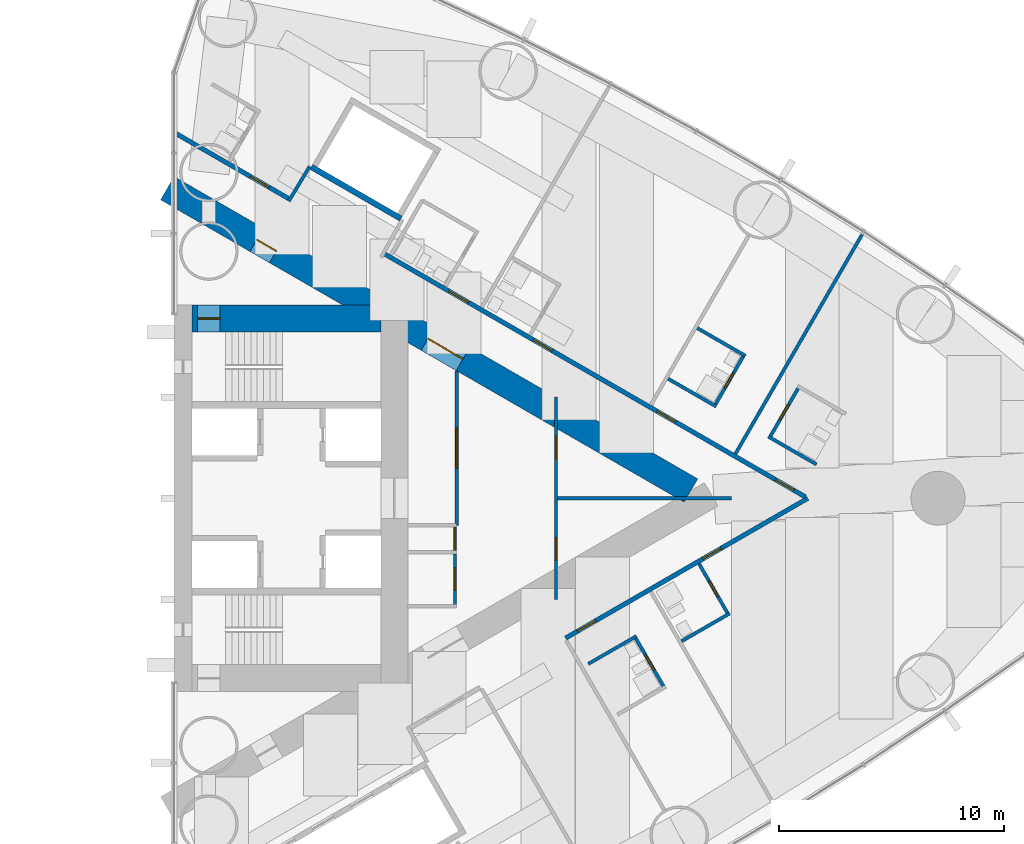
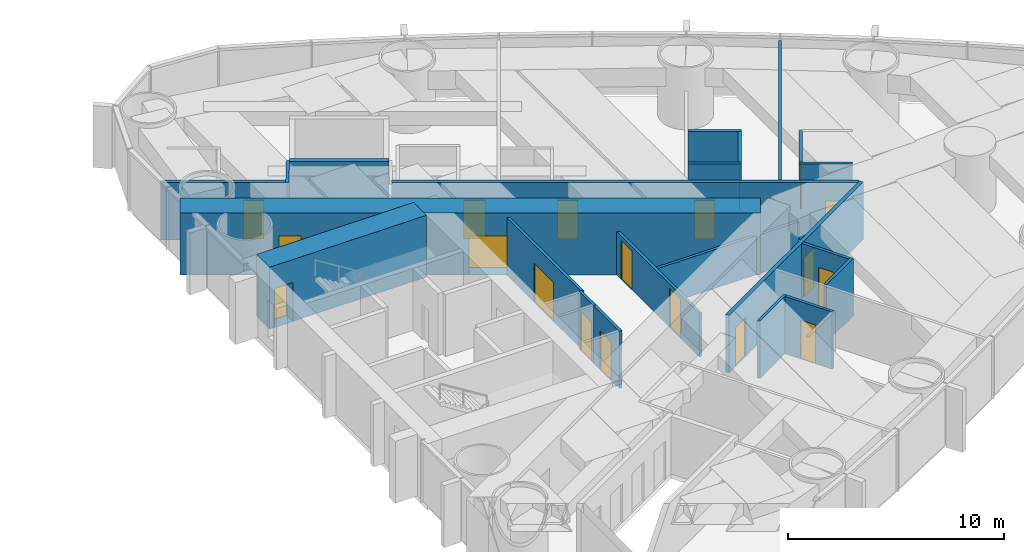
# One storey, part 15 of 19: 22 walls, 19 doors, 19 openings.
"""IFC4 building model written with IfcOpenShell, lengths in metres."""

import ifcopenshell
import ifcopenshell.guid

model = None  # the IFC model being written
_history = None  # IfcOwnerHistory: only IFC2X3 demands one
_inside = {}  # id of a spatial element -> (the spatial element, [elements in it])
_under = {}  # id of a project, library or spatial element -> (it, [spatial elements below it])
_declared = {}  # id of a project -> (the project, [libraries it declares])
_typed = {}  # id of a type object -> (the type object, [elements of that type])
_made_of = {}  # id of a material, layer set ... -> (it, [elements and type objects made of it])


def new_model(schema):
    """Start an empty IFC model of exactly this schema.

    Asked for "IFC4X3", IfcOpenShell would pick the latest addendum, in which some entities
    have other attributes; the version numbers below select the first issue.
    IFC2X3 requires an IfcOwnerHistory on every rooted entity: one is made here for all.
    """
    global model, _history
    if schema == "IFC4X3":
        model = ifcopenshell.file(schema_version=(4, 3, 0, 0))
    else:
        model = ifcopenshell.file(schema=schema)
    _inside.clear()
    _under.clear()
    _declared.clear()
    _typed.clear()
    _made_of.clear()
    _history = None
    if model.schema == "IFC2X3":
        org = make("IfcOrganization", Name="unknown")
        user = make(
            "IfcPersonAndOrganization",
            ThePerson=make("IfcPerson", FamilyName="unknown"),
            TheOrganization=org,
        )
        app = make(
            "IfcApplication",
            ApplicationDeveloper=org,
            Version="unknown",
            ApplicationFullName="unknown",
            ApplicationIdentifier="unknown",
        )
        _history = make(
            "IfcOwnerHistory",
            OwningUser=user,
            OwningApplication=app,
            ChangeAction="ADDED",
            CreationDate=0,
        )
    return model


def make(cls, **values):
    """One entity of the class cls with the attributes given. An attribute that is None is left unset."""
    return model.create_entity(
        cls, **{name: value for name, value in values.items() if value is not None}
    )


def rooted(cls, **values):
    """An entity with a GlobalId (a new one), such as an element, a storey or a relation."""
    return make(cls, GlobalId=ifcopenshell.guid.new(), OwnerHistory=_history, **values)


def si_unit(unit_type, name, prefix=None):
    """IfcSIUnit, for example si_unit("LENGTHUNIT", "METRE", prefix="MILLI")."""
    return make("IfcSIUnit", UnitType=unit_type, Prefix=prefix, Name=name)


def assignment(units):
    """IfcUnitAssignment: the units of a project."""
    return None if units is None else make("IfcUnitAssignment", Units=units)


def point(xyz):
    """IfcCartesianPoint."""
    return None if xyz is None else make("IfcCartesianPoint", Coordinates=xyz)


def direction(xyz):
    """IfcDirection."""
    return None if xyz is None else make("IfcDirection", DirectionRatios=xyz)


def frame(location, z_axis=None, x_axis=None):
    """IfcAxis2Placement3D, a coordinate frame: its origin and axes. An axis left out is left unset."""
    return make(
        "IfcAxis2Placement3D",
        Location=point(location),
        Axis=direction(z_axis),
        RefDirection=direction(x_axis),
    )


def frame_2d(location, x_axis=None):
    """IfcAxis2Placement2D, a coordinate frame in the plane: its origin and x axis."""
    return make(
        "IfcAxis2Placement2D", Location=point(location), RefDirection=direction(x_axis)
    )


def origin():
    """The frame at (0, 0, 0) with its axes left unset."""
    return frame((0.0, 0.0, 0.0))


def place(relative_to, where):
    """IfcLocalPlacement: puts the frame where relative to a parent placement (None: the world)."""
    return make(
        "IfcLocalPlacement", PlacementRelTo=relative_to, RelativePlacement=where
    )


def context(
    kind, dimensions, precision=None, world=None, true_north=None, identifier=None
):
    """IfcGeometricRepresentationContext, for example the 3D "Model" context."""
    return make(
        "IfcGeometricRepresentationContext",
        ContextIdentifier=identifier,
        ContextType=kind,
        CoordinateSpaceDimension=dimensions,
        Precision=precision,
        WorldCoordinateSystem=world,
        TrueNorth=true_north,
    )


def subcontext(parent, identifier, kind, view, scale=None):
    """IfcGeometricRepresentationSubContext, for example "Body" below "Model"."""
    return make(
        "IfcGeometricRepresentationSubContext",
        ContextIdentifier=identifier,
        ContextType=kind,
        ParentContext=parent,
        TargetScale=scale,
        TargetView=view,
    )


def project(units=None, contexts=None):
    """IfcProject with its units and contexts."""
    return rooted(
        "IfcProject",
        Name="project",
        RepresentationContexts=contexts,
        UnitsInContext=assignment(units),
    )


def spatial(cls, under=None, at=None, **own):
    """A site, building, storey or space (cls), placed at a placement, below another one or the project."""
    s = rooted(cls, ObjectPlacement=at, **own)
    if under is not None:
        _under.setdefault(under.id(), (under, []))[1].append(s)
    return s


def profile(cls, at=None, kind="AREA", **sizes):
    """A parametric profile (cls). Its sizes go by their IFC names, for example OverallWidth=200.0."""
    return make(cls, ProfileType=kind, Position=at, **sizes)


def rectangle(**sizes):
    """IfcRectangleProfileDef."""
    return profile("IfcRectangleProfileDef", **sizes)


def extrude(swept, where, along, depth):
    """IfcExtrudedAreaSolid: the profile swept, set in the frame where, extruded along a direction by depth."""
    return make(
        "IfcExtrudedAreaSolid",
        SweptArea=swept,
        Position=where,
        ExtrudedDirection=direction(along),
        Depth=depth,
    )


def shape(context_of_items, identifier, shape_type, items):
    """IfcShapeRepresentation: the items that make up one representation, for example the "Body"."""
    return make(
        "IfcShapeRepresentation",
        ContextOfItems=context_of_items,
        RepresentationIdentifier=identifier,
        RepresentationType=shape_type,
        Items=items,
    )


def material(Name=None, Category=None):
    """IfcMaterial."""
    return make("IfcMaterial", Name=Name, Category=Category)


def layer(
    of_material, thickness, ventilated=None, Name=None, Category=None, Priority=None
):
    """IfcMaterialLayer: one layer of a wall or slab, of a material (None: an air gap)."""
    return make(
        "IfcMaterialLayer",
        Material=of_material,
        LayerThickness=thickness,
        IsVentilated=ventilated,
        Name=Name,
        Category=Category,
        Priority=Priority,
    )


def layer_set(layers, Name=None):
    """IfcMaterialLayerSet."""
    return make("IfcMaterialLayerSet", MaterialLayers=layers, LayerSetName=Name)


def made_of(thing, what):
    """Note that an element or type object is made of a material, layer set ...; save() writes the relation."""
    if what is not None:
        _made_of.setdefault(what.id(), (what, []))[1].append(thing)
    return thing


def type_object(cls, material=None, **own):
    """A type object (cls), such as IfcWallType, which elements share."""
    return made_of(rooted(cls, **own), material)


def element(
    cls,
    number,
    at=None,
    inside=None,
    cuts=None,
    type_object=None,
    material=None,
    context=None,
    identifier="Body",
    shape_type=None,
    held_by="IfcProductDefinitionShape",
    body=None,
    shapes=None,
    **own,
):
    """One element of the class cls, such as IfcWall. Its Tag is "e" and its number.

    at: its placement. inside: the storey or other place that contains it. cuts: it is an
    opening in that element (IfcRelVoidsElement). A single representation is given by context,
    identifier, shape_type and body (its items); several are given by shapes. held_by: the class
    of the entity that holds the representations. save() writes the other relations.
    """
    e = rooted(cls, Tag="e%d" % number, ObjectPlacement=at, **own)
    if body is not None:
        shapes = [shape(context, identifier, shape_type, body)]
    if shapes is not None:
        e.Representation = make(held_by, Representations=shapes)
    if inside is not None:
        _inside.setdefault(inside.id(), (inside, []))[1].append(e)
    if cuts is not None:
        rooted(
            "IfcRelVoidsElement", RelatingBuildingElement=cuts, RelatedOpeningElement=e
        )
    if type_object is not None:
        _typed.setdefault(type_object.id(), (type_object, []))[1].append(e)
    return made_of(e, material)


def fill(opening, filler):
    """IfcRelFillsElement: the door or window that sits in an opening."""
    return rooted(
        "IfcRelFillsElement",
        RelatingOpeningElement=opening,
        RelatedBuildingElement=filler,
    )


def aggregate(whole, parts):
    """IfcRelAggregates: a whole, such as a stair, and the parts it consists of."""
    return rooted("IfcRelAggregates", RelatingObject=whole, RelatedObjects=parts)


def save(model, path):
    """Write the relations noted so far, then the file.

    IfcRelAggregates (storeys below a building ...), IfcRelContainedInSpatialStructure (elements
    in a storey), IfcRelDefinesByType, IfcRelAssociatesMaterial and IfcRelDeclares: one each for
    every whole, place, type object, material and project.
    """
    for whole, parts in _under.values():
        aggregate(whole, parts)
    for where, things in _inside.values():
        rooted(
            "IfcRelContainedInSpatialStructure",
            RelatedElements=things,
            RelatingStructure=where,
        )
    for kind, things in _typed.values():
        rooted("IfcRelDefinesByType", RelatedObjects=things, RelatingType=kind)
    for what, things in _made_of.values():
        rooted("IfcRelAssociatesMaterial", RelatedObjects=things, RelatingMaterial=what)
    for by, libraries in _declared.values():
        rooted("IfcRelDeclares", RelatingContext=by, RelatedDefinitions=libraries)
    model.write(path)


model = new_model("IFC4")

# Units and contexts
model_context = context("Model", 3, precision=1e-05, world=origin(), true_north=direction((0.0, 1.0)))
body_context = subcontext(model_context, "Body", "Model", "MODEL_VIEW")
ifc_project = project(units=[si_unit("LENGTHUNIT", "METRE"), si_unit("AREAUNIT", "SQUARE_METRE"), si_unit("VOLUMEUNIT", "CUBIC_METRE"), si_unit("PLANEANGLEUNIT", "RADIAN"), si_unit("MASSUNIT", "GRAM", prefix="KILO")], contexts=[model_context])

# Site, building, storey
site_placement = place(None, origin())
site = spatial("IfcSite", under=ifc_project, at=site_placement, CompositionType="ELEMENT")
building_placement = place(site_placement, origin())
building = spatial("IfcBuilding", under=site, at=building_placement, Name="Lancet Gate Hotel", CompositionType="ELEMENT")
storey_placement = place(building_placement, frame((0.0, 0.0, 122.10009765625)))
storey = spatial("IfcBuildingStorey", under=building, at=storey_placement, Name="L32", CompositionType="ELEMENT", Elevation=122.10009765625)

# Wall, opening, door
ifc_material_1 = material(Name="Moisture resistant board partition")
ifc_layer_1 = layer(ifc_material_1, 0.14990234375)
ifc_layer_set_1 = layer_set([ifc_layer_1], Name="Bathroom wall 150")
wall_type_1 = type_object("IfcWallType", Name="Bathroom wall 150", PredefinedType="PARTITIONING", material=ifc_layer_set_1)
wall_1_placement = place(storey_placement, frame((48.013427734375, -6.171142578125, 0.0), z_axis=(0.0, 0.0, 1.0), x_axis=(0.500006934395, -0.866021400173, 0.0)))
wall_1 = element("IfcWall", 1, at=wall_1_placement, inside=storey, type_object=wall_type_1, Name="T2 bathroom wall 150 L32", PredefinedType="PARTITIONING", context=body_context, shape_type="SweptSolid", body=[
    extrude(rectangle(XDim=2.60009765625, YDim=0.14990234375, at=frame_2d((1.300048828125, 0.0))), origin(), (0.0, 0.0, 1.0), 3.25),
])
opening_1_placement = place(wall_1_placement, frame((0.89990234375, 0.0, 0.0)))
opening_1 = element("IfcOpeningElement", 2, at=opening_1_placement, cuts=wall_1, Name="Opening 3255-B", PredefinedType="OPENING", context=body_context, shape_type="SweptSolid", body=[
    extrude(rectangle(XDim=0.800048828125, YDim=2.199951171875, at=frame_2d((0.39990234375, 1.10009765625))), frame((0.0, 0.0849609375, 0.0), z_axis=(0.0, -1.0, 0.0), x_axis=(1.0, 0.0, 0.0)), (0.0, 0.0, 1.0), 0.169921875),
])
ifc_material_2 = material(Name="Timber door set", Category="wood")
door_type_1 = type_object("IfcDoorType", Name="Bathroom door 800", OperationType="SINGLE_SWING_RIGHT", PredefinedType="DOOR", material=ifc_material_2)
door_1_placement = place(opening_1_placement, origin())
door_1 = element("IfcDoor", 3, at=door_1_placement, inside=storey, type_object=door_type_1, Name="3255-B", OperationType="SINGLE_SWING_RIGHT", OverallHeight=2.199951171875, OverallWidth=0.800048828125, PredefinedType="DOOR", context=body_context, shape_type="SweptSolid", body=[
    extrude(rectangle(XDim=0.800048828125, YDim=2.199951171875, at=frame_2d((0.39990234375, 1.10009765625))), frame((0.0, 0.02490234375, 0.0), z_axis=(0.0, -1.0, 0.0), x_axis=(1.0, 0.0, 0.0)), (0.0, 0.0, 1.0), 0.050048828125),
])
fill(opening_1, door_1)

# Walls
wall_2_placement = place(storey_placement, frame((45.93505859375, -7.37109375, 0.0), z_axis=(0.0, 0.0, 1.0), x_axis=(0.866031185235, 0.4999899861, 0.0)))
element("IfcWall", 4, at=wall_2_placement, inside=storey, type_object=wall_type_1, Name="T2 bathroom wall 150 L32", PredefinedType="PARTITIONING", context=body_context, shape_type="SweptSolid", body=[
    extrude(rectangle(XDim=2.47509765625, YDim=0.14990234375, at=frame_2d((1.237548828125, 0.0))), origin(), (0.0, 0.0, 1.0), 3.25),
])
wall_3_placement = place(storey_placement, frame((50.08349609375, -6.36181640625, 0.0), z_axis=(0.0, 0.0, 1.0), x_axis=(0.866006523861, 0.500032699561, 0.0)))
element("IfcWall", 5, at=wall_3_placement, inside=storey, type_object=wall_type_1, Name="T2 bathroom wall 150 L32", PredefinedType="PARTITIONING", context=body_context, shape_type="SweptSolid", body=[
    extrude(rectangle(XDim=2.474853515625, YDim=0.14990234375, at=frame_2d((1.2373046875, 0.0))), origin(), (0.0, 0.0, 1.0), 3.25),
])

# Wall, opening, door
wall_4_placement = place(storey_placement, frame((50.86181640625, -2.91015625, 0.0), z_axis=(0.0, 0.0, 1.0), x_axis=(0.500047596559, -0.865997922154, 0.0)))
wall_4 = element("IfcWall", 6, at=wall_4_placement, inside=storey, type_object=wall_type_1, Name="T2 bathroom wall 150 L32", PredefinedType="PARTITIONING", context=body_context, shape_type="SweptSolid", body=[
    extrude(rectangle(XDim=2.599853515625, YDim=0.14990234375, at=frame_2d((1.2998046875, 0.0))), origin(), (0.0, 0.0, 1.0), 3.25),
])
opening_2_placement = place(wall_4_placement, frame((0.89990234375, 0.0, 0.0)))
opening_2 = element("IfcOpeningElement", 7, at=opening_2_placement, cuts=wall_4, Name="Opening 3256-B", PredefinedType="OPENING", context=body_context, shape_type="SweptSolid", body=[
    extrude(rectangle(XDim=0.800048828125, YDim=2.199951171875, at=frame_2d((0.39990234375, 1.10009765625))), frame((0.0, 0.0849609375, 0.0), z_axis=(0.0, -1.0, 0.0), x_axis=(1.0, 0.0, 0.0)), (0.0, 0.0, 1.0), 0.169921875),
])
door_2_placement = place(opening_2_placement, origin())
door_2 = element("IfcDoor", 8, at=door_2_placement, inside=storey, type_object=door_type_1, Name="3256-B", OperationType="SINGLE_SWING_RIGHT", OverallHeight=2.199951171875, OverallWidth=0.800048828125, PredefinedType="DOOR", context=body_context, shape_type="SweptSolid", body=[
    extrude(rectangle(XDim=0.800048828125, YDim=2.199951171875, at=frame_2d((0.39990234375, 1.10009765625))), frame((0.0, 0.02490234375, 0.0), z_axis=(0.0, -1.0, 0.0), x_axis=(1.0, 0.0, 0.0)), (0.0, 0.0, 1.0), 0.050048828125),
])
fill(opening_2, door_2)

wall_5_placement = place(storey_placement, frame((54.010009765625, 2.708984375, 0.0), z_axis=(0.0, 0.0, 1.0), x_axis=(0.500006934395, 0.866021400173, 0.0)))
wall_5 = element("IfcWall", 9, at=wall_5_placement, inside=storey, type_object=wall_type_1, Name="T2 bathroom wall 150 L32", PredefinedType="PARTITIONING", context=body_context, shape_type="SweptSolid", body=[
    extrude(rectangle(XDim=2.60009765625, YDim=0.14990234375, at=frame_2d((1.300048828125, 0.0))), origin(), (0.0, 0.0, 1.0), 3.25),
])
opening_3_placement = place(wall_5_placement, frame((0.89990234375, 0.0, 0.0)))
opening_3 = element("IfcOpeningElement", 10, at=opening_3_placement, cuts=wall_5, Name="Opening 3258-B", PredefinedType="OPENING", context=body_context, shape_type="SweptSolid", body=[
    extrude(rectangle(XDim=0.800048828125, YDim=2.199951171875, at=frame_2d((0.39990234375, 1.10009765625))), frame((0.0, 0.0849609375, 0.0), z_axis=(0.0, -1.0, 0.0), x_axis=(1.0, 0.0, 0.0)), (0.0, 0.0, 1.0), 0.169921875),
])
door_3_placement = place(opening_3_placement, origin())
door_3 = element("IfcDoor", 11, at=door_3_placement, inside=storey, type_object=door_type_1, Name="3258-B", OperationType="SINGLE_SWING_RIGHT", OverallHeight=2.199951171875, OverallWidth=0.800048828125, PredefinedType="DOOR", context=body_context, shape_type="SweptSolid", body=[
    extrude(rectangle(XDim=0.800048828125, YDim=2.199951171875, at=frame_2d((0.39990234375, 1.10009765625))), frame((0.0, 0.02490234375, 0.0), z_axis=(0.0, -1.0, 0.0), x_axis=(1.0, 0.0, 0.0)), (0.0, 0.0, 1.0), 0.050048828125),
])
fill(opening_3, door_3)

# Walls
wall_6_placement = place(storey_placement, frame((53.945068359375, 2.74658203125, 0.0), z_axis=(0.0, 0.0, 1.0), x_axis=(0.866031185235, -0.4999899861, 0.0)))
element("IfcWall", 12, at=wall_6_placement, inside=storey, type_object=wall_type_1, Name="T2 bathroom wall 150 L32", PredefinedType="PARTITIONING", context=body_context, shape_type="SweptSolid", body=[
    extrude(rectangle(XDim=2.47509765625, YDim=0.14990234375, at=frame_2d((1.237548828125, 0.0))), origin(), (0.0, 0.0, 1.0), 3.25),
])
wall_7_placement = place(storey_placement, frame((50.783447265625, 7.57421875, 0.0), z_axis=(0.0, 0.0, 1.0), x_axis=(0.866006523861, -0.500032699561, 0.0)))
element("IfcWall", 13, at=wall_7_placement, inside=storey, type_object=wall_type_1, Name="T2 bathroom wall 150 L32", PredefinedType="PARTITIONING", context=body_context, shape_type="SweptSolid", body=[
    extrude(rectangle(XDim=2.474853515625, YDim=0.14990234375, at=frame_2d((1.2373046875, 0.0))), origin(), (0.0, 0.0, 1.0), 3.25),
])

# Wall, opening, door
wall_8_placement = place(storey_placement, frame((51.56201171875, 4.12255859375, 0.0), z_axis=(0.0, 0.0, 1.0), x_axis=(0.49997716683, 0.86603858612, 0.0)))
wall_8 = element("IfcWall", 14, at=wall_8_placement, inside=storey, type_object=wall_type_1, Name="T2 bathroom wall 150 L32", PredefinedType="PARTITIONING", context=body_context, shape_type="SweptSolid", body=[
    extrude(rectangle(XDim=2.599609375, YDim=0.14990234375, at=frame_2d((1.2998046875, 0.0))), origin(), (0.0, 0.0, 1.0), 3.25),
])
opening_4_placement = place(wall_8_placement, frame((0.89990234375, 0.0, 0.0)))
opening_4 = element("IfcOpeningElement", 15, at=opening_4_placement, cuts=wall_8, Name="Opening 3259-B", PredefinedType="OPENING", context=body_context, shape_type="SweptSolid", body=[
    extrude(rectangle(XDim=0.800048828125, YDim=2.199951171875, at=frame_2d((0.39990234375, 1.10009765625))), frame((0.0, 0.0849609375, 0.0), z_axis=(0.0, -1.0, 0.0), x_axis=(1.0, 0.0, 0.0)), (0.0, 0.0, 1.0), 0.169921875),
])
door_4_placement = place(opening_4_placement, origin())
door_4 = element("IfcDoor", 16, at=door_4_placement, inside=storey, type_object=door_type_1, Name="3259-B", OperationType="SINGLE_SWING_RIGHT", OverallHeight=2.199951171875, OverallWidth=0.800048828125, PredefinedType="DOOR", context=body_context, shape_type="SweptSolid", body=[
    extrude(rectangle(XDim=0.800048828125, YDim=2.199951171875, at=frame_2d((0.39990234375, 1.10009765625))), frame((0.0, 0.02490234375, 0.0), z_axis=(0.0, -1.0, 0.0), x_axis=(1.0, 0.0, 0.0)), (0.0, 0.0, 1.0), 0.050048828125),
])
fill(opening_4, door_4)

# Wall
wall_9_placement = place(storey_placement, frame((49.4833984375, 5.322509765625, 0.0), z_axis=(0.0, 0.0, 1.0), x_axis=(0.866031185235, -0.4999899861, 0.0)))
element("IfcWall", 17, at=wall_9_placement, inside=storey, type_object=wall_type_1, Name="T2 bathroom wall 150 L32", PredefinedType="PARTITIONING", context=body_context, shape_type="SweptSolid", body=[
    extrude(rectangle(XDim=2.47509765625, YDim=0.14990234375, at=frame_2d((1.237548828125, 0.0))), origin(), (0.0, 0.0, 1.0), 3.25),
])

# Wall, openings, doors
ifc_material_3 = material(Name="Concrete C70/85", Category="concrete")
ifc_layer_2 = layer(ifc_material_3, 1.199951171875)
ifc_layer_set_2 = layer_set([ifc_layer_2], Name="Buttress wall 1200")
wall_type_2 = type_object("IfcWallType", Name="Buttress wall 1200", PredefinedType="SHEAR", material=ifc_layer_set_2)
wall_10_placement = place(storey_placement, frame((27.199951171875, 13.800048828125, 0.0), z_axis=(0.0, 0.0, 1.0), x_axis=(0.866024515034, -0.500001539357, 0.0)))
wall_10 = element("IfcWall", 18, at=wall_10_placement, inside=storey, type_object=wall_type_2, Name="T2 buttress wall N L32", PredefinedType="SHEAR", context=body_context, shape_type="SweptSolid", body=[
    extrude(rectangle(XDim=26.9072265625, YDim=1.199951171875, at=frame_2d((13.45361328125, 0.0))), origin(), (0.0, 0.0, 1.0), 3.5),
])
opening_5_placement = place(wall_10_placement, frame((4.60009765625, 0.0, 0.0)))
opening_5 = element("IfcOpeningElement", 19, at=opening_5_placement, cuts=wall_10, Name="Opening T2-L32-LN", PredefinedType="OPENING", context=body_context, shape_type="SweptSolid", body=[
    extrude(rectangle(XDim=1.0, YDim=2.199951171875, at=frame_2d((0.5, 1.10009765625))), frame((0.0, 0.60986328125, 0.0), z_axis=(0.0, -1.0, 0.0), x_axis=(1.0, 0.0, 0.0)), (0.0, 0.0, 1.0), 1.219970703125),
])
opening_6_placement = place(wall_10_placement, frame((13.39453125, 0.0, 0.0)))
opening_6 = element("IfcOpeningElement", 20, at=opening_6_placement, cuts=wall_10, Name="Opening T2-L32-LHN", PredefinedType="OPENING", context=body_context, shape_type="SweptSolid", body=[
    extrude(rectangle(XDim=1.800048828125, YDim=2.199951171875, at=frame_2d((0.89990234375, 1.10009765625))), frame((0.0, 0.60986328125, 0.0), z_axis=(0.0, -1.0, 0.0), x_axis=(1.0, 0.0, 0.0)), (0.0, 0.0, 1.0), 1.219970703125),
])
ifc_material_4 = material(Name="Timber door set", Category="wood")
door_type_2 = type_object("IfcDoorType", Name="Lobby double door 1800", OperationType="DOUBLE_DOOR_SINGLE_SWING", PredefinedType="DOOR", material=ifc_material_4)
door_5_placement = place(opening_6_placement, origin())
door_5 = element("IfcDoor", 21, at=door_5_placement, inside=storey, type_object=door_type_2, Name="T2-L32-LHN", OperationType="DOUBLE_DOOR_SINGLE_SWING", OverallHeight=2.199951171875, OverallWidth=1.800048828125, PredefinedType="DOOR", context=body_context, shape_type="SweptSolid", body=[
    extrude(rectangle(XDim=1.800048828125, YDim=2.199951171875, at=frame_2d((0.89990234375, 1.10009765625))), frame((0.0, 0.02490234375, 0.0), z_axis=(0.0, -1.0, 0.0), x_axis=(1.0, 0.0, 0.0)), (0.0, 0.0, 1.0), 0.050048828125),
])
fill(opening_6, door_5)
ifc_material_5 = material(Name="Timber door set", Category="wood")
door_type_3 = type_object("IfcDoorType", Name="Stair lobby door 1000", OperationType="SINGLE_SWING_LEFT", PredefinedType="DOOR", material=ifc_material_5)
door_6_placement = place(opening_5_placement, origin())
door_6 = element("IfcDoor", 22, at=door_6_placement, inside=storey, type_object=door_type_3, Name="T2-L32-LN", OperationType="SINGLE_SWING_LEFT", OverallHeight=2.199951171875, OverallWidth=1.0, PredefinedType="DOOR", context=body_context, shape_type="SweptSolid", body=[
    extrude(rectangle(XDim=1.0, YDim=2.199951171875, at=frame_2d((0.5, 1.10009765625))), frame((0.0, 0.02490234375, 0.0), z_axis=(0.0, -1.0, 0.0), x_axis=(1.0, 0.0, 0.0)), (0.0, 0.0, 1.0), 0.050048828125),
])
fill(opening_5, door_6)

# Wall, opening, door
ifc_material_6 = material(Name="Concrete C70/85", Category="concrete")
ifc_layer_3 = layer(ifc_material_6, 1.199951171875)
ifc_layer_set_3 = layer_set([ifc_layer_3], Name="Core wall 1200")
wall_type_3 = type_object("IfcWallType", Name="Core wall 1200", PredefinedType="SHEAR", material=ifc_layer_set_3)
wall_11_placement = place(storey_placement, frame((28.300048828125, 8.0, 0.0), z_axis=(0.0, 0.0, 1.0), x_axis=(1.0, 0.0, 0.0)))
wall_11 = element("IfcWall", 23, at=wall_11_placement, inside=storey, type_object=wall_type_3, Name="T2 core wall side-N L32", PredefinedType="SHEAR", context=body_context, shape_type="SweptSolid", body=[
    extrude(rectangle(XDim=8.39990234375, YDim=1.199951171875, at=frame_2d((4.199951171875, 0.0))), origin(), (0.0, 0.0, 1.0), 3.5),
])
opening_7_placement = place(wall_11_placement, frame((0.25, 0.0, 0.0)))
opening_7 = element("IfcOpeningElement", 24, at=opening_7_placement, cuts=wall_11, Name="Opening T2-L32-ST2", PredefinedType="OPENING", context=body_context, shape_type="SweptSolid", body=[
    extrude(rectangle(XDim=1.0, YDim=2.199951171875, at=frame_2d((0.5, 1.10009765625))), frame((0.0, 0.60986328125, 0.0), z_axis=(0.0, -1.0, 0.0), x_axis=(1.0, 0.0, 0.0)), (0.0, 0.0, 1.0), 1.219970703125),
])
ifc_material_7 = material(Name="Timber door set", Category="wood")
door_type_4 = type_object("IfcDoorType", Name="Stair door 1000", OperationType="SINGLE_SWING_RIGHT", PredefinedType="DOOR", material=ifc_material_7)
door_7_placement = place(opening_7_placement, origin())
door_7 = element("IfcDoor", 25, at=door_7_placement, inside=storey, type_object=door_type_4, Name="T2-L32-ST2", OperationType="SINGLE_SWING_RIGHT", OverallHeight=2.199951171875, OverallWidth=1.0, PredefinedType="DOOR", context=body_context, shape_type="SweptSolid", body=[
    extrude(rectangle(XDim=1.0, YDim=2.199951171875, at=frame_2d((0.5, 1.10009765625))), frame((0.0, 0.02490234375, 0.0), z_axis=(0.0, -1.0, 0.0), x_axis=(1.0, 0.0, 0.0)), (0.0, 0.0, 1.0), 0.050048828125),
])
fill(opening_7, door_7)

ifc_material_8 = material(Name="Gypsum board partition")
ifc_layer_4 = layer(ifc_material_8, 0.199951171875)
ifc_layer_set_4 = layer_set([ifc_layer_4], Name="Corridor wall 200")
wall_type_4 = type_object("IfcWallType", Name="Corridor wall 200", PredefinedType="PARTITIONING", material=ifc_layer_set_4)
wall_12_placement = place(storey_placement, frame((27.572021484375, 16.240966796875, 0.0), z_axis=(0.0, 0.0, 1.0), x_axis=(0.866032814021, -0.499987164874, 0.0)))
wall_12 = element("IfcWall", 26, at=wall_12_placement, inside=storey, type_object=wall_type_4, Name="T2 corridor wall 200 L32", PredefinedType="PARTITIONING", context=body_context, shape_type="SweptSolid", body=[
    extrude(rectangle(XDim=5.854736328125, YDim=0.199951171875, at=frame_2d((2.92724609375, 0.0))), origin(), (0.0, 0.0, 1.0), 3.25),
])
opening_8_placement = place(wall_12_placement, frame((3.85009765625, 0.0, 0.0)))
opening_8 = element("IfcOpeningElement", 27, at=opening_8_placement, cuts=wall_12, Name="Opening 3264-E", PredefinedType="OPENING", context=body_context, shape_type="SweptSolid", body=[
    extrude(rectangle(XDim=0.949951171875, YDim=2.199951171875, at=frame_2d((0.47509765625, 1.10009765625))), frame((0.0, 0.10986328125, 0.0), z_axis=(0.0, -1.0, 0.0), x_axis=(1.0, 0.0, 0.0)), (0.0, 0.0, 1.0), 0.219970703125),
])
ifc_material_9 = material(Name="Timber door set", Category="wood")
door_type_5 = type_object("IfcDoorType", Name="Guest room entry door 950", OperationType="SINGLE_SWING_LEFT", PredefinedType="DOOR", material=ifc_material_9)
door_8_placement = place(opening_8_placement, origin())
door_8 = element("IfcDoor", 28, at=door_8_placement, inside=storey, type_object=door_type_5, Name="3264-E", OperationType="SINGLE_SWING_LEFT", OverallHeight=2.199951171875, OverallWidth=0.949951171875, PredefinedType="DOOR", context=body_context, shape_type="SweptSolid", body=[
    extrude(rectangle(XDim=0.949951171875, YDim=2.199951171875, at=frame_2d((0.47509765625, 1.10009765625))), frame((0.0, 0.02490234375, 0.0), z_axis=(0.0, -1.0, 0.0), x_axis=(1.0, 0.0, 0.0)), (0.0, 0.0, 1.0), 0.050048828125),
])
fill(opening_8, door_8)

# Wall, openings, doors
wall_13_placement = place(storey_placement, frame((36.833984375, 10.8935546875, 0.0), z_axis=(0.0, 0.0, 1.0), x_axis=(0.866028157229, -0.499995230863, 0.0)))
wall_13 = element("IfcWall", 29, at=wall_13_placement, inside=storey, type_object=wall_type_4, Name="T2 corridor wall 200 L32", PredefinedType="PARTITIONING", context=body_context, shape_type="SweptSolid", body=[
    extrude(rectangle(XDim=21.667236328125, YDim=0.199951171875, at=frame_2d((10.83349609375, 0.0))), origin(), (0.0, 0.0, 1.0), 3.25),
])
opening_9_placement = place(wall_13_placement, frame((20.1171875, 0.0, 0.0)))
opening_9 = element("IfcOpeningElement", 30, at=opening_9_placement, cuts=wall_13, Name="Opening 3258-E", PredefinedType="OPENING", context=body_context, shape_type="SweptSolid", body=[
    extrude(rectangle(XDim=0.949951171875, YDim=2.199951171875, at=frame_2d((0.47509765625, 1.10009765625))), frame((0.0, 0.10986328125, 0.0), z_axis=(0.0, -1.0, 0.0), x_axis=(1.0, 0.0, 0.0)), (0.0, 0.0, 1.0), 0.219970703125),
])
opening_10_placement = place(wall_13_placement, frame((14.040283203125, 0.0, 0.0)))
opening_10 = element("IfcOpeningElement", 31, at=opening_10_placement, cuts=wall_13, Name="Opening 3259-E", PredefinedType="OPENING", context=body_context, shape_type="SweptSolid", body=[
    extrude(rectangle(XDim=0.949951171875, YDim=2.199951171875, at=frame_2d((0.47509765625, 1.10009765625))), frame((0.0, 0.10986328125, 0.0), z_axis=(0.0, -1.0, 0.0), x_axis=(1.0, 0.0, 0.0)), (0.0, 0.0, 1.0), 0.219970703125),
])
opening_11_placement = place(wall_13_placement, frame((7.69677734375, 0.0, 0.0)))
opening_11 = element("IfcOpeningElement", 32, at=opening_11_placement, cuts=wall_13, Name="Opening 3260-E", PredefinedType="OPENING", context=body_context, shape_type="SweptSolid", body=[
    extrude(rectangle(XDim=0.949951171875, YDim=2.199951171875, at=frame_2d((0.47509765625, 1.10009765625))), frame((0.0, 0.10986328125, 0.0), z_axis=(0.0, -1.0, 0.0), x_axis=(1.0, 0.0, 0.0)), (0.0, 0.0, 1.0), 0.219970703125),
])
opening_12_placement = place(wall_13_placement, frame((3.35009765625, 0.0, 0.0)))
opening_12 = element("IfcOpeningElement", 33, at=opening_12_placement, cuts=wall_13, Name="Opening 3262-E", PredefinedType="OPENING", context=body_context, shape_type="SweptSolid", body=[
    extrude(rectangle(XDim=1.0, YDim=2.199951171875, at=frame_2d((0.5, 1.10009765625))), frame((0.0, 0.10986328125, 0.0), z_axis=(0.0, -1.0, 0.0), x_axis=(1.0, 0.0, 0.0)), (0.0, 0.0, 1.0), 0.219970703125),
])
ifc_material_10 = material(Name="Timber door set", Category="wood")
door_type_6 = type_object("IfcDoorType", Name="Accessible guest room door 1000", OperationType="SINGLE_SWING_LEFT", PredefinedType="DOOR", material=ifc_material_10)
door_9_placement = place(opening_12_placement, origin())
door_9 = element("IfcDoor", 34, at=door_9_placement, inside=storey, type_object=door_type_6, Name="3262-E", OperationType="SINGLE_SWING_LEFT", OverallHeight=2.199951171875, OverallWidth=1.0, PredefinedType="DOOR", context=body_context, shape_type="SweptSolid", body=[
    extrude(rectangle(XDim=1.0, YDim=2.199951171875, at=frame_2d((0.5, 1.10009765625))), frame((0.0, 0.02490234375, 0.0), z_axis=(0.0, -1.0, 0.0), x_axis=(1.0, 0.0, 0.0)), (0.0, 0.0, 1.0), 0.050048828125),
])
fill(opening_12, door_9)
door_10_placement = place(opening_9_placement, origin())
door_10 = element("IfcDoor", 35, at=door_10_placement, inside=storey, type_object=door_type_5, Name="3258-E", OperationType="SINGLE_SWING_LEFT", OverallHeight=2.199951171875, OverallWidth=0.949951171875, PredefinedType="DOOR", context=body_context, shape_type="SweptSolid", body=[
    extrude(rectangle(XDim=0.949951171875, YDim=2.199951171875, at=frame_2d((0.47509765625, 1.10009765625))), frame((0.0, 0.02490234375, 0.0), z_axis=(0.0, -1.0, 0.0), x_axis=(1.0, 0.0, 0.0)), (0.0, 0.0, 1.0), 0.050048828125),
])
fill(opening_9, door_10)
door_11_placement = place(opening_10_placement, origin())
door_11 = element("IfcDoor", 36, at=door_11_placement, inside=storey, type_object=door_type_5, Name="3259-E", OperationType="SINGLE_SWING_LEFT", OverallHeight=2.199951171875, OverallWidth=0.949951171875, PredefinedType="DOOR", context=body_context, shape_type="SweptSolid", body=[
    extrude(rectangle(XDim=0.949951171875, YDim=2.199951171875, at=frame_2d((0.47509765625, 1.10009765625))), frame((0.0, 0.02490234375, 0.0), z_axis=(0.0, -1.0, 0.0), x_axis=(1.0, 0.0, 0.0)), (0.0, 0.0, 1.0), 0.050048828125),
])
fill(opening_10, door_11)
door_12_placement = place(opening_11_placement, origin())
door_12 = element("IfcDoor", 37, at=door_12_placement, inside=storey, type_object=door_type_5, Name="3260-E", OperationType="SINGLE_SWING_LEFT", OverallHeight=2.199951171875, OverallWidth=0.949951171875, PredefinedType="DOOR", context=body_context, shape_type="SweptSolid", body=[
    extrude(rectangle(XDim=0.949951171875, YDim=2.199951171875, at=frame_2d((0.47509765625, 1.10009765625))), frame((0.0, 0.02490234375, 0.0), z_axis=(0.0, -1.0, 0.0), x_axis=(1.0, 0.0, 0.0)), (0.0, 0.0, 1.0), 0.050048828125),
])
fill(opening_11, door_12)

wall_14_placement = place(storey_placement, frame((44.92529296875, -6.22216796875, 0.0), z_axis=(0.0, 0.0, 1.0), x_axis=(0.866020269055, 0.500008893506, 0.0)))
wall_14 = element("IfcWall", 38, at=wall_14_placement, inside=storey, type_object=wall_type_4, Name="T2 corridor wall 200 L32", PredefinedType="PARTITIONING", context=body_context, shape_type="SweptSolid", body=[
    extrude(rectangle(XDim=12.444091796875, YDim=0.199951171875, at=frame_2d((6.22216796875, 0.0))), origin(), (0.0, 0.0, 1.0), 3.25),
])
opening_13_placement = place(wall_14_placement, frame((0.60009765625, 0.0, 0.0)))
opening_13 = element("IfcOpeningElement", 39, at=opening_13_placement, cuts=wall_14, Name="Opening 3255-E", PredefinedType="OPENING", context=body_context, shape_type="SweptSolid", body=[
    extrude(rectangle(XDim=0.949951171875, YDim=2.199951171875, at=frame_2d((0.47509765625, 1.10009765625))), frame((0.0, 0.10986328125, 0.0), z_axis=(0.0, -1.0, 0.0), x_axis=(1.0, 0.0, 0.0)), (0.0, 0.0, 1.0), 0.219970703125),
])
opening_14_placement = place(wall_14_placement, frame((7.04736328125, 0.0, 0.0)))
opening_14 = element("IfcOpeningElement", 40, at=opening_14_placement, cuts=wall_14, Name="Opening 3256-E", PredefinedType="OPENING", context=body_context, shape_type="SweptSolid", body=[
    extrude(rectangle(XDim=0.949951171875, YDim=2.199951171875, at=frame_2d((0.47509765625, 1.10009765625))), frame((0.0, 0.10986328125, 0.0), z_axis=(0.0, -1.0, 0.0), x_axis=(1.0, 0.0, 0.0)), (0.0, 0.0, 1.0), 0.219970703125),
])
door_13_placement = place(opening_13_placement, origin())
door_13 = element("IfcDoor", 41, at=door_13_placement, inside=storey, type_object=door_type_5, Name="3255-E", OperationType="SINGLE_SWING_LEFT", OverallHeight=2.199951171875, OverallWidth=0.949951171875, PredefinedType="DOOR", context=body_context, shape_type="SweptSolid", body=[
    extrude(rectangle(XDim=0.949951171875, YDim=2.199951171875, at=frame_2d((0.47509765625, 1.10009765625))), frame((0.0, 0.02490234375, 0.0), z_axis=(0.0, -1.0, 0.0), x_axis=(1.0, 0.0, 0.0)), (0.0, 0.0, 1.0), 0.050048828125),
])
fill(opening_13, door_13)
door_14_placement = place(opening_14_placement, origin())
door_14 = element("IfcDoor", 42, at=door_14_placement, inside=storey, type_object=door_type_5, Name="3256-E", OperationType="SINGLE_SWING_LEFT", OverallHeight=2.199951171875, OverallWidth=0.949951171875, PredefinedType="DOOR", context=body_context, shape_type="SweptSolid", body=[
    extrude(rectangle(XDim=0.949951171875, YDim=2.199951171875, at=frame_2d((0.47509765625, 1.10009765625))), frame((0.0, 0.02490234375, 0.0), z_axis=(0.0, -1.0, 0.0), x_axis=(1.0, 0.0, 0.0)), (0.0, 0.0, 1.0), 0.050048828125),
])
fill(opening_14, door_14)

# Walls
ifc_material_11 = material(Name="Gypsum board partition")
ifc_layer_5 = layer(ifc_material_11, 0.25)
ifc_layer_set_5 = layer_set([ifc_layer_5], Name="Lift shaft partition 250")
wall_type_5 = type_object("IfcWallType", Name="Lift shaft partition 250", PredefinedType="PARTITIONING", material=ifc_layer_set_5)
wall_15_placement = place(storey_placement, frame((33.6083984375, 14.747314453125, 0.0), z_axis=(0.0, 0.0, 1.0), x_axis=(0.866043305498, -0.49996899204, 0.0)))
element("IfcWall", 43, at=wall_15_placement, inside=storey, type_object=wall_type_5, Name="T2 lift shaft wall EX L32", PredefinedType="PARTITIONING", context=body_context, shape_type="SweptSolid", body=[
    extrude(rectangle(XDim=4.600341796875, YDim=0.25, at=frame_2d((2.30029296875, 0.0))), origin(), (0.0, 0.0, 1.0), 3.25),
])
ifc_material_12 = material(Name="Gypsum board partition")
ifc_layer_6 = layer(ifc_material_12, 0.14990234375)
ifc_layer_set_6 = layer_set([ifc_layer_6], Name="Party wall 150")
wall_type_6 = type_object("IfcWallType", Name="Party wall 150", PredefinedType="PARTITIONING", material=ifc_layer_set_6)
wall_16_placement = place(storey_placement, frame((52.4814453125, 1.97509765625, 0.0), z_axis=(0.0, 0.0, 1.0), x_axis=(0.500003867771, 0.866023170714, 0.0)))
element("IfcWall", 44, at=wall_16_placement, inside=storey, type_object=wall_type_6, Name="T2 party wall 150 L32", PredefinedType="PARTITIONING", context=body_context, shape_type="SweptSolid", body=[
    extrude(rectangle(XDim=11.2646484375, YDim=0.14990234375, at=frame_2d((5.63232421875, 0.0))), origin(), (0.0, 0.0, 1.0), 3.25),
])
ifc_material_13 = material(Name="Gypsum board partition")
ifc_layer_7 = layer(ifc_material_13, 0.14990234375)
ifc_layer_set_7 = layer_set([ifc_layer_7], Name="Service room wall 150")
wall_type_7 = type_object("IfcWallType", Name="Service room wall 150", PredefinedType="PARTITIONING", material=ifc_layer_set_7)
wall_17_placement = place(storey_placement, frame((33.533447265625, 14.767333984375, 0.0), z_axis=(0.0, 0.0, 1.0), x_axis=(-0.514296815006, -0.857612258585, 0.0)))
element("IfcWall", 45, at=wall_17_placement, inside=storey, type_object=wall_type_7, Name="T2 service room wall 150 L32", PredefinedType="PARTITIONING", context=body_context, shape_type="SweptSolid", body=[
    extrude(rectangle(XDim=1.804931640625, YDim=0.14990234375, at=frame_2d((0.90234375, 0.0))), origin(), (0.0, 0.0, 1.0), 3.25),
])

# Wall, opening, door
wall_18_placement = place(storey_placement, frame((40.0, -2.47509765625, 0.0), z_axis=(0.0, 0.0, 1.0), x_axis=(0.0, 1.0, 0.0)))
wall_18 = element("IfcWall", 46, at=wall_18_placement, inside=storey, type_object=wall_type_7, Name="T2 service room wall 150 L32", PredefinedType="PARTITIONING", context=body_context, shape_type="SweptSolid", body=[
    extrude(rectangle(XDim=1.35009765625, YDim=0.14990234375, at=frame_2d((0.675048828125, 0.0))), origin(), (0.0, 0.0, 1.0), 3.25),
])
opening_15_placement = place(wall_18_placement, frame((0.175048828125, 0.0, 0.0)))
opening_15 = element("IfcOpeningElement", 47, at=opening_15_placement, cuts=wall_18, Name="Opening T2-L32-HRS0", PredefinedType="OPENING", context=body_context, shape_type="SweptSolid", body=[
    extrude(rectangle(XDim=1.0, YDim=2.199951171875, at=frame_2d((0.5, 1.10009765625))), frame((0.0, 0.0849609375, 0.0), z_axis=(0.0, -1.0, 0.0), x_axis=(1.0, 0.0, 0.0)), (0.0, 0.0, 1.0), 0.169921875),
])
ifc_material_14 = material(Name="Timber door set", Category="wood")
door_type_7 = type_object("IfcDoorType", Name="Service door 1000", OperationType="SINGLE_SWING_LEFT", PredefinedType="DOOR", material=ifc_material_14)
door_15_placement = place(opening_15_placement, origin())
door_15 = element("IfcDoor", 48, at=door_15_placement, inside=storey, type_object=door_type_7, Name="T2-L32-HRS0", OperationType="SINGLE_SWING_LEFT", OverallHeight=2.199951171875, OverallWidth=1.0, PredefinedType="DOOR", context=body_context, shape_type="SweptSolid", body=[
    extrude(rectangle(XDim=1.0, YDim=2.199951171875, at=frame_2d((0.5, 1.10009765625))), frame((0.0, 0.02490234375, 0.0), z_axis=(0.0, -1.0, 0.0), x_axis=(1.0, 0.0, 0.0)), (0.0, 0.0, 1.0), 0.050048828125),
])
fill(opening_15, door_15)

wall_19_placement = place(storey_placement, frame((40.0, -4.875, 0.0), z_axis=(0.0, 0.0, 1.0), x_axis=(0.0, 1.0, 0.0)))
wall_19 = element("IfcWall", 49, at=wall_19_placement, inside=storey, type_object=wall_type_7, Name="T2 service room wall 150 L32", PredefinedType="PARTITIONING", context=body_context, shape_type="SweptSolid", body=[
    extrude(rectangle(XDim=2.550048828125, YDim=0.14990234375, at=frame_2d((1.27490234375, 0.0))), origin(), (0.0, 0.0, 1.0), 3.25),
])
opening_16_placement = place(wall_19_placement, frame((0.77490234375, 0.0, 0.0)))
opening_16 = element("IfcOpeningElement", 50, at=opening_16_placement, cuts=wall_19, Name="Opening T2-L32-HRS1", PredefinedType="OPENING", context=body_context, shape_type="SweptSolid", body=[
    extrude(rectangle(XDim=1.0, YDim=2.199951171875, at=frame_2d((0.5, 1.10009765625))), frame((0.0, 0.0849609375, 0.0), z_axis=(0.0, -1.0, 0.0), x_axis=(1.0, 0.0, 0.0)), (0.0, 0.0, 1.0), 0.169921875),
])
door_16_placement = place(opening_16_placement, origin())
door_16 = element("IfcDoor", 51, at=door_16_placement, inside=storey, type_object=door_type_7, Name="T2-L32-HRS1", OperationType="SINGLE_SWING_LEFT", OverallHeight=2.199951171875, OverallWidth=1.0, PredefinedType="DOOR", context=body_context, shape_type="SweptSolid", body=[
    extrude(rectangle(XDim=1.0, YDim=2.199951171875, at=frame_2d((0.5, 1.10009765625))), frame((0.0, 0.02490234375, 0.0), z_axis=(0.0, -1.0, 0.0), x_axis=(1.0, 0.0, 0.0)), (0.0, 0.0, 1.0), 0.050048828125),
])
fill(opening_16, door_16)

wall_20_placement = place(storey_placement, frame((40.074951171875, -1.199951171875, 0.0), z_axis=(0.0, 0.0, 1.0), x_axis=(0.0, 1.0, 0.0)))
wall_20 = element("IfcWall", 52, at=wall_20_placement, inside=storey, type_object=wall_type_7, Name="T2 service room wall 150 L32", PredefinedType="PARTITIONING", context=body_context, shape_type="SweptSolid", body=[
    extrude(rectangle(XDim=6.873779296875, YDim=0.14990234375, at=frame_2d((3.43701171875, 0.0))), origin(), (0.0, 0.0, 1.0), 3.25),
])
opening_17_placement = place(wall_20_placement, frame((2.536865234375, 0.0, 0.0)))
opening_17 = element("IfcOpeningElement", 53, at=opening_17_placement, cuts=wall_20, Name="Opening T2-L32-LH", PredefinedType="OPENING", context=body_context, shape_type="SweptSolid", body=[
    extrude(rectangle(XDim=1.800048828125, YDim=2.199951171875, at=frame_2d((0.89990234375, 1.10009765625))), frame((0.0, 0.0849609375, 0.0), z_axis=(0.0, -1.0, 0.0), x_axis=(1.0, 0.0, 0.0)), (0.0, 0.0, 1.0), 0.169921875),
])
door_17_placement = place(opening_17_placement, origin())
door_17 = element("IfcDoor", 54, at=door_17_placement, inside=storey, type_object=door_type_2, Name="T2-L32-LH", OperationType="DOUBLE_DOOR_SINGLE_SWING", OverallHeight=2.199951171875, OverallWidth=1.800048828125, PredefinedType="DOOR", context=body_context, shape_type="SweptSolid", body=[
    extrude(rectangle(XDim=1.800048828125, YDim=2.199951171875, at=frame_2d((0.89990234375, 1.10009765625))), frame((0.0, 0.02490234375, 0.0), z_axis=(0.0, -1.0, 0.0), x_axis=(1.0, 0.0, 0.0)), (0.0, 0.0, 1.0), 0.050048828125),
])
fill(opening_17, door_17)

# Wall, openings, doors
wall_21_placement = place(storey_placement, frame((44.5, -4.504638671875, 0.0), z_axis=(0.0, 0.0, 1.0), x_axis=(0.0, 1.0, 0.0)))
wall_21 = element("IfcWall", 55, at=wall_21_placement, inside=storey, type_object=wall_type_7, Name="T2 service room wall 150 L32", PredefinedType="PARTITIONING", context=body_context, shape_type="SweptSolid", body=[
    extrude(rectangle(XDim=9.00927734375, YDim=0.14990234375, at=frame_2d((4.504638671875, 0.0))), origin(), (0.0, 0.0, 1.0), 2.449951171875),
])
opening_18_placement = place(wall_21_placement, frame((1.752197265625, 0.0, 0.0)))
opening_18 = element("IfcOpeningElement", 56, at=opening_18_placement, cuts=wall_21, Name="Opening T2-L32-SV", PredefinedType="OPENING", context=body_context, shape_type="SweptSolid", body=[
    extrude(rectangle(XDim=1.0, YDim=2.199951171875, at=frame_2d((0.5, 1.10009765625))), frame((0.0, 0.0849609375, 0.0), z_axis=(0.0, -1.0, 0.0), x_axis=(1.0, 0.0, 0.0)), (0.0, 0.0, 1.0), 0.169921875),
])
opening_19_placement = place(wall_21_placement, frame((6.2568359375, 0.0, 0.0)))
opening_19 = element("IfcOpeningElement", 57, at=opening_19_placement, cuts=wall_21, Name="Opening T2-L32-SV2", PredefinedType="OPENING", context=body_context, shape_type="SweptSolid", body=[
    extrude(rectangle(XDim=1.0, YDim=2.199951171875, at=frame_2d((0.5, 1.10009765625))), frame((0.0, 0.0849609375, 0.0), z_axis=(0.0, -1.0, 0.0), x_axis=(1.0, 0.0, 0.0)), (0.0, 0.0, 1.0), 0.169921875),
])
door_18_placement = place(opening_18_placement, origin())
door_18 = element("IfcDoor", 58, at=door_18_placement, inside=storey, type_object=door_type_7, Name="T2-L32-SV", OperationType="SINGLE_SWING_LEFT", OverallHeight=2.199951171875, OverallWidth=1.0, PredefinedType="DOOR", context=body_context, shape_type="SweptSolid", body=[
    extrude(rectangle(XDim=1.0, YDim=2.199951171875, at=frame_2d((0.5, 1.10009765625))), frame((0.0, 0.02490234375, 0.0), z_axis=(0.0, -1.0, 0.0), x_axis=(1.0, 0.0, 0.0)), (0.0, 0.0, 1.0), 0.050048828125),
])
fill(opening_18, door_18)
door_19_placement = place(opening_19_placement, origin())
door_19 = element("IfcDoor", 59, at=door_19_placement, inside=storey, type_object=door_type_7, Name="T2-L32-SV2", OperationType="SINGLE_SWING_LEFT", OverallHeight=2.199951171875, OverallWidth=1.0, PredefinedType="DOOR", context=body_context, shape_type="SweptSolid", body=[
    extrude(rectangle(XDim=1.0, YDim=2.199951171875, at=frame_2d((0.5, 1.10009765625))), frame((0.0, 0.02490234375, 0.0), z_axis=(0.0, -1.0, 0.0), x_axis=(1.0, 0.0, 0.0)), (0.0, 0.0, 1.0), 0.050048828125),
])
fill(opening_19, door_19)

# Wall
wall_22_placement = place(storey_placement, frame((44.574951171875, 0.0, 0.0), z_axis=(0.0, 0.0, 1.0), x_axis=(1.0, 0.0, 0.0)))
element("IfcWall", 60, at=wall_22_placement, inside=storey, type_object=wall_type_7, Name="T2 service room wall 150 L32", PredefinedType="PARTITIONING", context=body_context, shape_type="SweptSolid", body=[
    extrude(rectangle(XDim=7.727294921875, YDim=0.14990234375, at=frame_2d((3.86376953125, 0.0))), origin(), (0.0, 0.0, 1.0), 2.199951171875),
])

save(model, "model.ifc")
